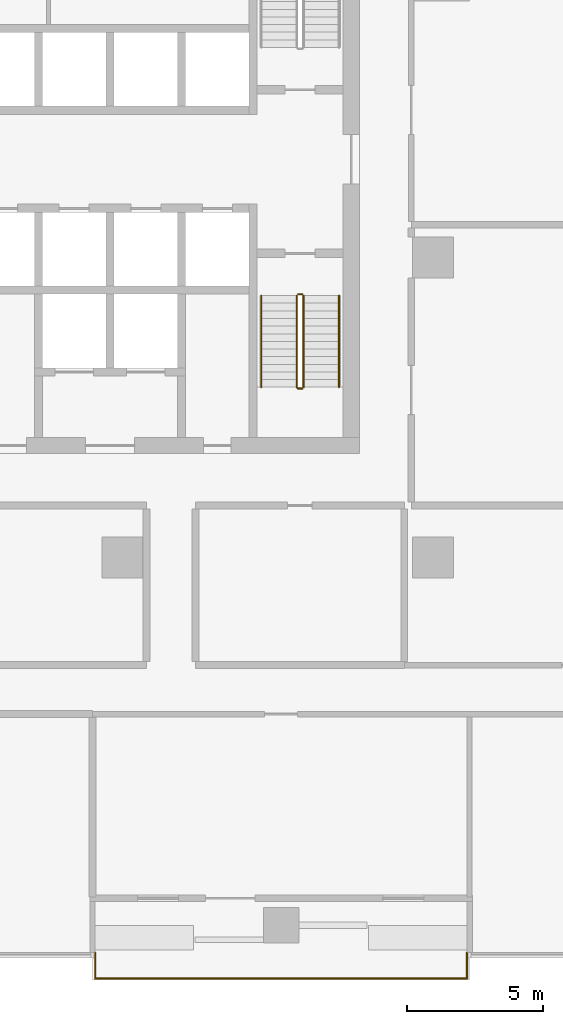
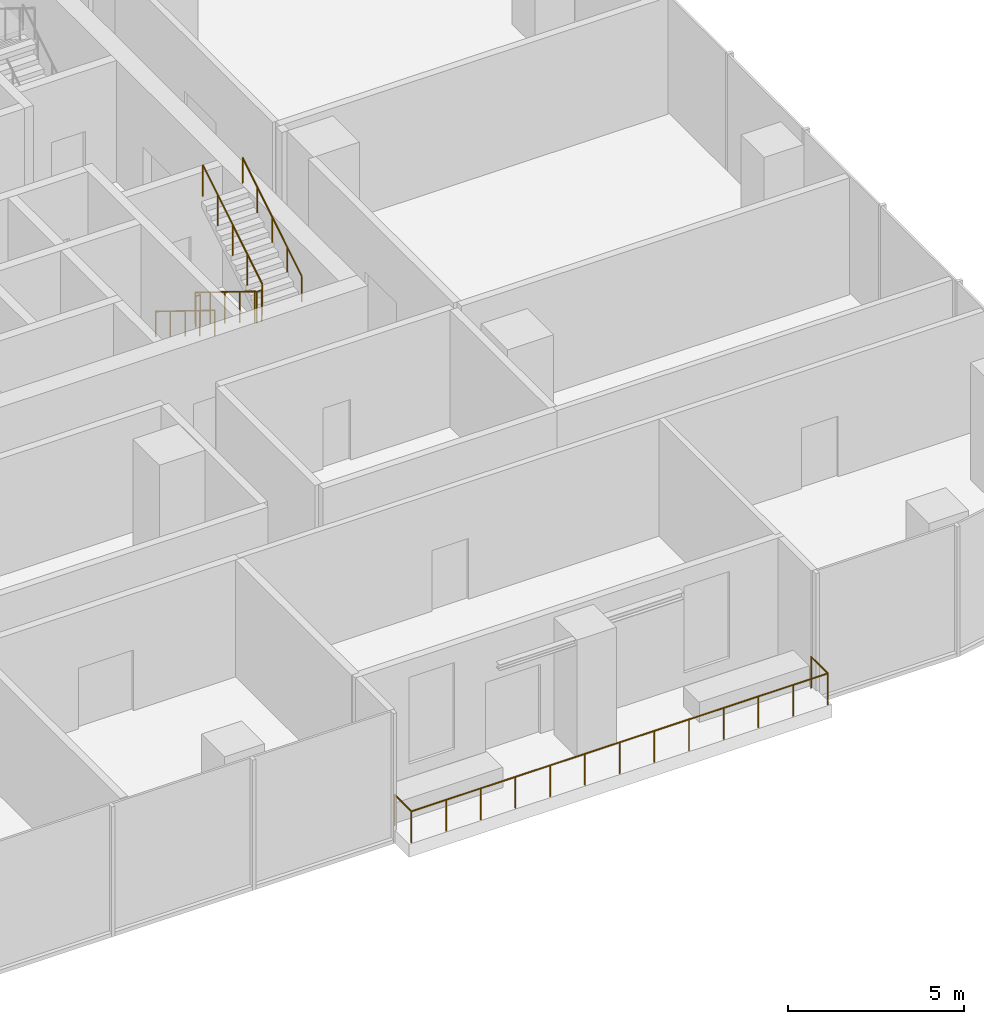
# One storey, part 13 of 15: 6 railings.
"""IFC4 building model written with IfcOpenShell, lengths in metres."""

from ifc_helpers import new_model, si_unit, direction, frame, origin, origin_2d, place, context, subcontext, project, spatial, circle, extrude, material, type_object, element, save


model = new_model("IFC4")

# Units and contexts
model_context = context("Model", 3, precision=1e-05, world=origin(), true_north=direction((0.0, 1.0)))
body_context = subcontext(model_context, "Body", "Model", "MODEL_VIEW")
ifc_project = project(units=[si_unit("LENGTHUNIT", "METRE"), si_unit("AREAUNIT", "SQUARE_METRE"), si_unit("VOLUMEUNIT", "CUBIC_METRE"), si_unit("PLANEANGLEUNIT", "RADIAN"), si_unit("MASSUNIT", "GRAM", prefix="KILO")], contexts=[model_context])

# Site, building, storey
site_placement = place(None, origin())
site = spatial("IfcSite", under=ifc_project, at=site_placement, CompositionType="ELEMENT")
building_placement = place(site_placement, origin())
building = spatial("IfcBuilding", under=site, at=building_placement, Name="Mopane Tessera Tower", CompositionType="ELEMENT")
storey_placement = place(building_placement, frame((0.0, 0.0, 112.60009765625)))
storey = spatial("IfcBuildingStorey", under=building, at=storey_placement, Name="L22", CompositionType="ELEMENT", Elevation=112.60009765625)

# Railings
ifc_material_1 = material(Name="Powder-coated steel balustrade", Category="steel")
railing_type_1 = type_object("IfcRailingType", Name="Escape stair guard 1100 mm", PredefinedType="GUARDRAIL", material=ifc_material_1)
railing_1_placement = place(storey_placement, frame((12.10009765625, -1.39990234375, 0.173095703125)))
element("IfcRailing", 1, at=railing_1_placement, inside=storey, type_object=railing_type_1, Name="L22 ST3 stair guard 1", PredefinedType="GUARDRAIL", context=body_context, shape_type="SweptSolid", body=[
    extrude(circle(Radius=0.02392578125, at=origin_2d()), frame((0.0, 0.0, 1.076171875), z_axis=(0.0, -0.850623216509, 0.525775754039), x_axis=(1.0, 0.0, 0.0)), (0.0, 0.0, 1.0), 3.9501953125),
    extrude(circle(Radius=0.02392578125, at=origin_2d()), frame((0.0, -3.360107421875, 3.15283203125), z_axis=(0.705375805398, -0.708833529934, 0.0), x_axis=(0.708833529934, 0.705375805398, 0.0)), (0.0, 0.0, 1.0), 0.070556640625),
    extrude(circle(Radius=0.02392578125, at=origin_2d()), frame((0.0498046875, -3.41015625, 3.15283203125), z_axis=(1.0, 0.0, 0.0), x_axis=(0.0, 1.0, 0.0)), (0.0, 0.0, 1.0), 0.150146484375),
    extrude(circle(Radius=0.02099609375, at=origin_2d()), origin(), (0.0, 0.0, 1.0), 1.052001953125),
    extrude(circle(Radius=0.02099609375, at=origin_2d()), frame((0.0, -0.840087890625, 0.519287109375)), (0.0, 0.0, 1.0), 1.052001953125),
    extrude(circle(Radius=0.02099609375, at=origin_2d()), frame((0.0, -1.68017578125, 1.03857421875)), (0.0, 0.0, 1.0), 1.052001953125),
    extrude(circle(Radius=0.02099609375, at=origin_2d()), frame((0.0, -2.52001953125, 1.5576171875)), (0.0, 0.0, 1.0), 1.052001953125),
    extrude(circle(Radius=0.02099609375, at=origin_2d()), frame((0.0, -3.360107421875, 2.076904296875)), (0.0, 0.0, 1.0), 1.052001953125),
    extrude(circle(Radius=0.02099609375, at=origin_2d()), frame((0.0498046875, -3.41015625, 2.076904296875)), (0.0, 0.0, 1.0), 1.052001953125),
    extrude(circle(Radius=0.02099609375, at=origin_2d()), frame((0.199951171875, -3.41015625, 2.076904296875)), (0.0, 0.0, 1.0), 1.052001953125),
])
railing_2_placement = place(storey_placement, frame((12.35009765625, -4.760009765625, 2.423095703125)))
element("IfcRailing", 2, at=railing_2_placement, inside=storey, type_object=railing_type_1, Name="L22 ST3 stair guard 2", PredefinedType="GUARDRAIL", context=body_context, shape_type="SweptSolid", body=[
    extrude(circle(Radius=0.02392578125, at=origin_2d()), frame((0.0, 0.0, 1.076171875), z_axis=(0.0, 0.850623216509, 0.525775754039), x_axis=(-1.0, 0.0, 0.0)), (0.0, 0.0, 1.0), 3.9501953125),
    extrude(circle(Radius=0.02099609375, at=origin_2d()), origin(), (0.0, 0.0, 1.0), 1.052001953125),
    extrude(circle(Radius=0.02099609375, at=origin_2d()), frame((0.0, 0.840087890625, 0.519287109375)), (0.0, 0.0, 1.0), 1.052001953125),
    extrude(circle(Radius=0.02099609375, at=origin_2d()), frame((0.0, 1.68017578125, 1.03857421875)), (0.0, 0.0, 1.0), 1.052001953125),
    extrude(circle(Radius=0.02099609375, at=origin_2d()), frame((0.0, 2.52001953125, 1.5576171875)), (0.0, 0.0, 1.0), 1.052001953125),
    extrude(circle(Radius=0.02099609375, at=origin_2d()), frame((0.0, 3.360107421875, 2.076904296875)), (0.0, 0.0, 1.0), 1.052001953125),
])
railing_3_placement = place(storey_placement, frame((12.14990234375, -1.35009765625, 0.0)))
element("IfcRailing", 3, at=railing_3_placement, inside=storey, type_object=railing_type_1, Name="L22 ST3 stair guard 3", PredefinedType="GUARDRAIL", context=body_context, shape_type="SweptSolid", body=[
    extrude(circle(Radius=0.02392578125, at=origin_2d()), frame((0.0, 0.0, 1.076171875), z_axis=(1.0, 0.0, 0.0), x_axis=(0.0, 1.0, 0.0)), (0.0, 0.0, 1.0), 0.150146484375),
    extrude(circle(Radius=0.02099609375, at=origin_2d()), origin(), (0.0, 0.0, 1.0), 1.052001953125),
    extrude(circle(Radius=0.02099609375, at=origin_2d()), frame((0.150146484375, 0.0, 0.0)), (0.0, 0.0, 1.0), 1.052001953125),
])
ifc_material_2 = material(Name="Powder-coated steel balustrade", Category="steel")
railing_type_2 = type_object("IfcRailingType", Name="Escape stair handrail 900 mm", PredefinedType="HANDRAIL", material=ifc_material_2)
railing_4_placement = place(storey_placement, frame((10.800048828125, -1.39990234375, 0.173095703125)))
element("IfcRailing", 4, at=railing_4_placement, inside=storey, type_object=railing_type_2, Name="L22 ST3 stair handrail 1", PredefinedType="HANDRAIL", context=body_context, shape_type="SweptSolid", body=[
    extrude(circle(Radius=0.02392578125, at=origin_2d()), frame((0.0, 0.0, 0.8759765625), z_axis=(0.0, -0.850623216509, 0.525775754039), x_axis=(1.0, 0.0, 0.0)), (0.0, 0.0, 1.0), 3.9501953125),
    extrude(circle(Radius=0.02099609375, at=origin_2d()), origin(), (0.0, 0.0, 1.0), 0.851806640625),
    extrude(circle(Radius=0.02099609375, at=origin_2d()), frame((0.0, -0.840087890625, 0.519287109375)), (0.0, 0.0, 1.0), 0.851806640625),
    extrude(circle(Radius=0.02099609375, at=origin_2d()), frame((0.0, -1.68017578125, 1.03857421875)), (0.0, 0.0, 1.0), 0.851806640625),
    extrude(circle(Radius=0.02099609375, at=origin_2d()), frame((0.0, -2.52001953125, 1.5576171875)), (0.0, 0.0, 1.0), 0.851806640625),
    extrude(circle(Radius=0.02099609375, at=origin_2d()), frame((0.0, -3.360107421875, 2.076904296875)), (0.0, 0.0, 1.0), 0.851806640625),
])
railing_5_placement = place(storey_placement, frame((13.64990234375, -4.760009765625, 2.423095703125)))
element("IfcRailing", 5, at=railing_5_placement, inside=storey, type_object=railing_type_2, Name="L22 ST3 stair handrail 2", PredefinedType="HANDRAIL", context=body_context, shape_type="SweptSolid", body=[
    extrude(circle(Radius=0.02392578125, at=origin_2d()), frame((0.0, 0.0, 0.8759765625), z_axis=(0.0, 0.850623216509, 0.525775754039), x_axis=(-1.0, 0.0, 0.0)), (0.0, 0.0, 1.0), 3.9501953125),
    extrude(circle(Radius=0.02099609375, at=origin_2d()), origin(), (0.0, 0.0, 1.0), 0.851806640625),
    extrude(circle(Radius=0.02099609375, at=origin_2d()), frame((0.0, 0.840087890625, 0.519287109375)), (0.0, 0.0, 1.0), 0.851806640625),
    extrude(circle(Radius=0.02099609375, at=origin_2d()), frame((0.0, 1.68017578125, 1.03857421875)), (0.0, 0.0, 1.0), 0.851806640625),
    extrude(circle(Radius=0.02099609375, at=origin_2d()), frame((0.0, 2.52001953125, 1.5576171875)), (0.0, 0.0, 1.0), 0.851806640625),
    extrude(circle(Radius=0.02099609375, at=origin_2d()), frame((0.0, 3.360107421875, 2.076904296875)), (0.0, 0.0, 1.0), 0.851806640625),
])
ifc_material_3 = material(Name="Stainless steel S316", Category="steel")
railing_type_3 = type_object("IfcRailingType", Name="Terrace guard 1100", PredefinedType="GUARDRAIL", material=ifc_material_3)
railing_6_placement = place(storey_placement, frame((4.7099609375, -25.5, 0.0)))
element("IfcRailing", 6, at=railing_6_placement, inside=storey, type_object=railing_type_3, Name="e:nw:L22:N3:guard", PredefinedType="GUARDRAIL", context=body_context, shape_type="SweptSolid", body=[
    extrude(circle(Radius=0.02392578125, at=origin_2d()), frame((0.0, 0.0, 1.076171875), z_axis=(0.0, -1.0, 0.0), x_axis=(1.0, 0.0, 0.0)), (0.0, 0.0, 1.0), 0.949951171875),
    extrude(circle(Radius=0.02392578125, at=origin_2d()), frame((0.0, -0.949951171875, 1.076171875), z_axis=(1.0, 0.0, 0.0), x_axis=(0.0, 1.0, 0.0)), (0.0, 0.0, 1.0), 13.630126953125),
    extrude(circle(Radius=0.02392578125, at=origin_2d()), frame((13.630126953125, -0.949951171875, 1.076171875), z_axis=(0.0, 1.0, 0.0), x_axis=(-1.0, 0.0, 0.0)), (0.0, 0.0, 1.0), 0.949951171875),
    extrude(circle(Radius=0.02099609375, at=origin_2d()), origin(), (0.0, 0.0, 1.0), 1.052001953125),
    extrude(circle(Radius=0.02099609375, at=origin_2d()), frame((0.0, -0.949951171875, 0.0)), (0.0, 0.0, 1.0), 1.052001953125),
    extrude(circle(Radius=0.02099609375, at=origin_2d()), frame((1.1357421875, -0.949951171875, 0.0)), (0.0, 0.0, 1.0), 1.052001953125),
    extrude(circle(Radius=0.02099609375, at=origin_2d()), frame((2.271728515625, -0.949951171875, 0.0)), (0.0, 0.0, 1.0), 1.052001953125),
    extrude(circle(Radius=0.02099609375, at=origin_2d()), frame((3.407470703125, -0.949951171875, 0.0)), (0.0, 0.0, 1.0), 1.052001953125),
    extrude(circle(Radius=0.02099609375, at=origin_2d()), frame((4.54345703125, -0.949951171875, 0.0)), (0.0, 0.0, 1.0), 1.052001953125),
    extrude(circle(Radius=0.02099609375, at=origin_2d()), frame((5.67919921875, -0.949951171875, 0.0)), (0.0, 0.0, 1.0), 1.052001953125),
    extrude(circle(Radius=0.02099609375, at=origin_2d()), frame((6.81494140625, -0.949951171875, 0.0)), (0.0, 0.0, 1.0), 1.052001953125),
    extrude(circle(Radius=0.02099609375, at=origin_2d()), frame((7.950927734375, -0.949951171875, 0.0)), (0.0, 0.0, 1.0), 1.052001953125),
    extrude(circle(Radius=0.02099609375, at=origin_2d()), frame((9.086669921875, -0.949951171875, 0.0)), (0.0, 0.0, 1.0), 1.052001953125),
    extrude(circle(Radius=0.02099609375, at=origin_2d()), frame((10.22265625, -0.949951171875, 0.0)), (0.0, 0.0, 1.0), 1.052001953125),
    extrude(circle(Radius=0.02099609375, at=origin_2d()), frame((11.3583984375, -0.949951171875, 0.0)), (0.0, 0.0, 1.0), 1.052001953125),
    extrude(circle(Radius=0.02099609375, at=origin_2d()), frame((12.494384765625, -0.949951171875, 0.0)), (0.0, 0.0, 1.0), 1.052001953125),
    extrude(circle(Radius=0.02099609375, at=origin_2d()), frame((13.630126953125, -0.949951171875, 0.0)), (0.0, 0.0, 1.0), 1.052001953125),
    extrude(circle(Radius=0.02099609375, at=origin_2d()), frame((13.630126953125, 0.0, 0.0)), (0.0, 0.0, 1.0), 1.052001953125),
])

save(model, "model.ifc")
